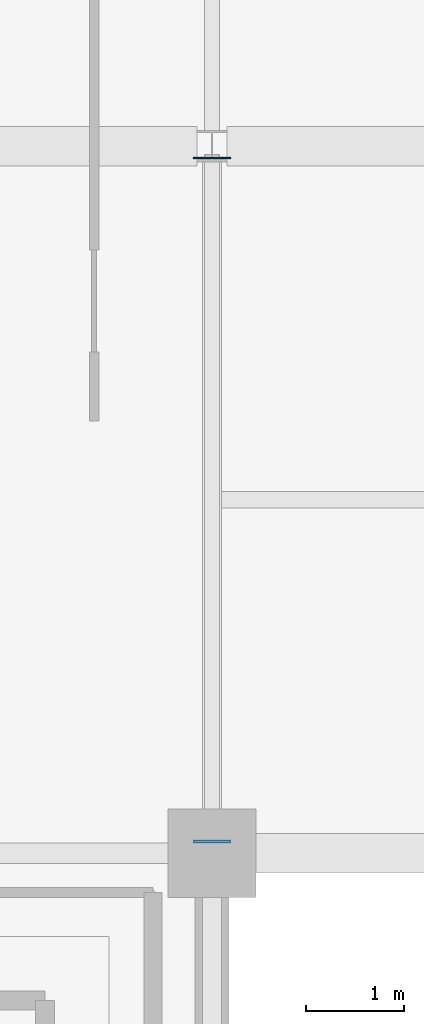
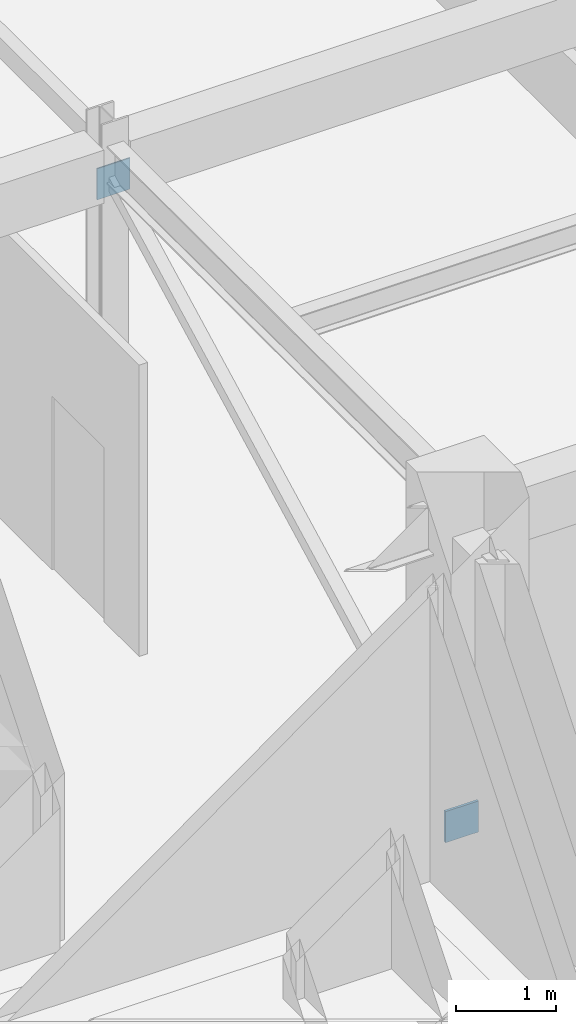
# One storey, part 70 of 106: 2 plates.
"""IFC4 building model written with IfcOpenShell, lengths in metres."""

from ifc_helpers import new_model, si_unit, direction, frame, origin, origin_2d, place, context, subcontext, project, spatial, rectangle, extrude, material, layer, layer_set, type_object, element, save


model = new_model("IFC4")

# Units and contexts
model_context = context("Model", 3, precision=1e-05, world=origin(), true_north=direction((0.0, 1.0)))
body_context = subcontext(model_context, "Body", "Model", "MODEL_VIEW")
ifc_project = project(units=[si_unit("LENGTHUNIT", "METRE"), si_unit("AREAUNIT", "SQUARE_METRE"), si_unit("VOLUMEUNIT", "CUBIC_METRE"), si_unit("PLANEANGLEUNIT", "RADIAN"), si_unit("MASSUNIT", "GRAM", prefix="KILO")], contexts=[model_context])

# Site, building, storey
site_placement = place(None, origin())
site = spatial("IfcSite", under=ifc_project, at=site_placement, CompositionType="ELEMENT")
building_placement = place(site_placement, origin())
building = spatial("IfcBuilding", under=site, at=building_placement, Name="Carrowvane Square Congress Hotel", CompositionType="ELEMENT")
storey_placement = place(building_placement, frame((0.0, 0.0, 10.5)))
storey = spatial("IfcBuildingStorey", under=building, at=storey_placement, Name="L02", CompositionType="ELEMENT", Elevation=10.5)

# Plates
ifc_material_1 = material(Name="Steel S355", Category="steel")
ifc_layer_1 = layer(ifc_material_1, 0.030029296875)
ifc_layer_set_1 = layer_set([ifc_layer_1], Name="Steel S355")
plate_type_1 = type_object("IfcPlateType", Name="PLT-GUS-30", PredefinedType="USERDEFINED", material=ifc_layer_set_1)
plate_1_placement = place(storey_placement, frame((62.0, 55.919921875, -0.0400390625), z_axis=(0.0, 0.0, 1.0), x_axis=(1.0, 0.0, 0.0)))
element("IfcPlate", 1, at=plate_1_placement, inside=storey, type_object=plate_type_1, Name="L02 brace connection end plate 277", ObjectType="GUSSET PLATE", PredefinedType="USERDEFINED", context=body_context, shape_type="SweptSolid", body=[
    extrude(rectangle(XDim=0.3798828125, YDim=0.030029296875, at=origin_2d()), origin(), (0.0, 0.0, 1.0), 0.3798828125),
])
ifc_material_2 = material(Name="Steel S355", Category="steel")
ifc_layer_2 = layer(ifc_material_2, 0.01611328125)
ifc_layer_set_2 = layer_set([ifc_layer_2], Name="Steel S355")
plate_type_2 = type_object("IfcPlateType", Name="PLT-STF-16", PredefinedType="USERDEFINED", material=ifc_layer_set_2)
plate_2_placement = place(storey_placement, frame((62.0, 62.8798828125, 3.580078125), z_axis=(0.0, 0.0, 1.0), x_axis=(1.0, 0.0, 0.0)))
element("IfcPlate", 2, at=plate_2_placement, inside=storey, type_object=plate_type_2, Name="L02 brace connection end plate 278", ObjectType="STIFFENER PLATE", PredefinedType="USERDEFINED", context=body_context, shape_type="SweptSolid", body=[
    extrude(rectangle(XDim=0.3798828125, YDim=0.01611328125, at=origin_2d()), origin(), (0.0, 0.0, 1.0), 0.3798828125),
])

save(model, "model.ifc")
